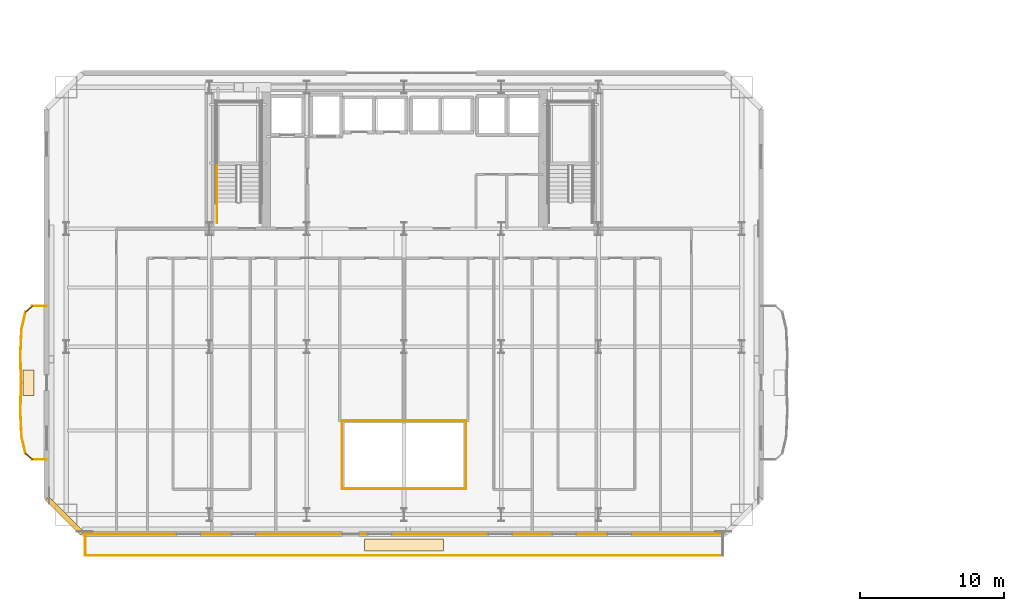
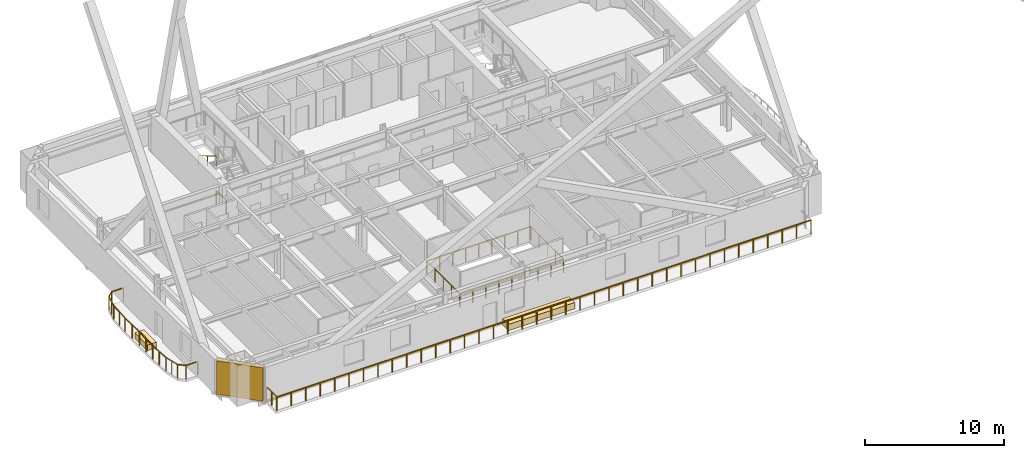
# One storey, part 16 of 22: 18 railings, 3 coverings, 1 shading device.
"""IFC4 building model written with IfcOpenShell, lengths in metres."""

from ifc_helpers import new_model, si_unit, direction, frame, origin, origin_2d, place, context, subcontext, project, spatial, rectangle, extrude, material, layer, layer_set, type_object, element, save


model = new_model("IFC4")

# Units and contexts
model_context = context("Model", 3, precision=1e-05, world=origin(), true_north=direction((0.0, 1.0)))
body_context = subcontext(model_context, "Body", "Model", "MODEL_VIEW")
ifc_project = project(units=[si_unit("LENGTHUNIT", "METRE"), si_unit("AREAUNIT", "SQUARE_METRE"), si_unit("VOLUMEUNIT", "CUBIC_METRE"), si_unit("PLANEANGLEUNIT", "RADIAN"), si_unit("MASSUNIT", "GRAM", prefix="KILO")], contexts=[model_context])

# Site, building, storey
site_placement = place(None, origin())
site = spatial("IfcSite", under=ifc_project, at=site_placement, CompositionType="ELEMENT")
building_placement = place(site_placement, origin())
building = spatial("IfcBuilding", under=site, at=building_placement, Name="Haevon Station Towers", CompositionType="ELEMENT")
storey_placement = place(building_placement, frame((0.0, 0.0, 70.199951171875)))
storey = spatial("IfcBuildingStorey", under=building, at=storey_placement, Name="L18", CompositionType="ELEMENT", Elevation=70.199951171875)

# Railings
ifc_material_1 = material(Name="Steel S355", Category="steel")
railing_type_1 = type_object("IfcRailingType", Name="BAL-ATR1200", PredefinedType="BALUSTRADE", material=ifc_material_1)
railing_1_placement = place(storey_placement, frame((33.19482421875, 20.142333984375, 0.0)))
element("IfcRailing", 1, at=railing_1_placement, inside=storey, type_object=railing_type_1, Name="L18 Atrium Void Balustrade 1", PredefinedType="BALUSTRADE", context=body_context, shape_type="SweptSolid", body=[
    extrude(rectangle(XDim=0.048095703125, YDim=0.048095703125, at=origin_2d()), frame((0.0, 0.0, 1.17578125), z_axis=(1.0, 0.0, 0.0), x_axis=(0.0, 1.0, 0.0)), (0.0, 0.0, 1.0), 8.6103515625),
    extrude(rectangle(XDim=0.0419921875, YDim=0.0419921875, at=origin_2d()), origin(), (0.0, 0.0, 1.0), 1.15185546875),
    extrude(rectangle(XDim=0.0419921875, YDim=0.0419921875, at=origin_2d()), frame((1.076171875, 0.0, 0.0)), (0.0, 0.0, 1.0), 1.15185546875),
    extrude(rectangle(XDim=0.0419921875, YDim=0.0419921875, at=origin_2d()), frame((2.152587890625, 0.0, 0.0)), (0.0, 0.0, 1.0), 1.15185546875),
    extrude(rectangle(XDim=0.0419921875, YDim=0.0419921875, at=origin_2d()), frame((3.22900390625, 0.0, 0.0)), (0.0, 0.0, 1.0), 1.15185546875),
    extrude(rectangle(XDim=0.0419921875, YDim=0.0419921875, at=origin_2d()), frame((4.30517578125, 0.0, 0.0)), (0.0, 0.0, 1.0), 1.15185546875),
    extrude(rectangle(XDim=0.0419921875, YDim=0.0419921875, at=origin_2d()), frame((5.38134765625, 0.0, 0.0)), (0.0, 0.0, 1.0), 1.15185546875),
    extrude(rectangle(XDim=0.0419921875, YDim=0.0419921875, at=origin_2d()), frame((6.457763671875, 0.0, 0.0)), (0.0, 0.0, 1.0), 1.15185546875),
    extrude(rectangle(XDim=0.0419921875, YDim=0.0419921875, at=origin_2d()), frame((7.5341796875, 0.0, 0.0)), (0.0, 0.0, 1.0), 1.15185546875),
    extrude(rectangle(XDim=0.0419921875, YDim=0.0419921875, at=origin_2d()), frame((8.6103515625, 0.0, 0.0)), (0.0, 0.0, 1.0), 1.15185546875),
])
railing_2_placement = place(storey_placement, frame((41.80517578125, 20.142333984375, 0.0)))
element("IfcRailing", 2, at=railing_2_placement, inside=storey, type_object=railing_type_1, Name="L18 Atrium Void Balustrade 2", PredefinedType="BALUSTRADE", context=body_context, shape_type="SweptSolid", body=[
    extrude(rectangle(XDim=0.048095703125, YDim=0.048095703125, at=origin_2d()), frame((0.0, 0.0, 1.17578125), z_axis=(0.0, 1.0, 0.0), x_axis=(-1.0, 0.0, 0.0)), (0.0, 0.0, 1.0), 4.71533203125),
    extrude(rectangle(XDim=0.0419921875, YDim=0.0419921875, at=origin_2d()), origin(), (0.0, 0.0, 1.0), 1.15185546875),
    extrude(rectangle(XDim=0.0419921875, YDim=0.0419921875, at=origin_2d()), frame((0.0, 1.1787109375, 0.0)), (0.0, 0.0, 1.0), 1.15185546875),
    extrude(rectangle(XDim=0.0419921875, YDim=0.0419921875, at=origin_2d()), frame((0.0, 2.357666015625, 0.0)), (0.0, 0.0, 1.0), 1.15185546875),
    extrude(rectangle(XDim=0.0419921875, YDim=0.0419921875, at=origin_2d()), frame((0.0, 3.53662109375, 0.0)), (0.0, 0.0, 1.0), 1.15185546875),
    extrude(rectangle(XDim=0.0419921875, YDim=0.0419921875, at=origin_2d()), frame((0.0, 4.71533203125, 0.0)), (0.0, 0.0, 1.0), 1.15185546875),
])
railing_3_placement = place(storey_placement, frame((41.80517578125, 24.857666015625, 0.0)))
element("IfcRailing", 3, at=railing_3_placement, inside=storey, type_object=railing_type_1, Name="L18 Atrium Void Balustrade 3", PredefinedType="BALUSTRADE", context=body_context, shape_type="SweptSolid", body=[
    extrude(rectangle(XDim=0.048095703125, YDim=0.048095703125, at=origin_2d()), frame((0.0, 0.0, 1.17578125), z_axis=(-1.0, 0.0, 0.0), x_axis=(0.0, -1.0, 0.0)), (0.0, 0.0, 1.0), 8.6103515625),
    extrude(rectangle(XDim=0.0419921875, YDim=0.0419921875, at=origin_2d()), origin(), (0.0, 0.0, 1.0), 1.15185546875),
    extrude(rectangle(XDim=0.0419921875, YDim=0.0419921875, at=origin_2d()), frame((-1.076171875, 0.0, 0.0)), (0.0, 0.0, 1.0), 1.15185546875),
    extrude(rectangle(XDim=0.0419921875, YDim=0.0419921875, at=origin_2d()), frame((-2.152587890625, 0.0, 0.0)), (0.0, 0.0, 1.0), 1.15185546875),
    extrude(rectangle(XDim=0.0419921875, YDim=0.0419921875, at=origin_2d()), frame((-3.22900390625, 0.0, 0.0)), (0.0, 0.0, 1.0), 1.15185546875),
    extrude(rectangle(XDim=0.0419921875, YDim=0.0419921875, at=origin_2d()), frame((-4.30517578125, 0.0, 0.0)), (0.0, 0.0, 1.0), 1.15185546875),
    extrude(rectangle(XDim=0.0419921875, YDim=0.0419921875, at=origin_2d()), frame((-5.38134765625, 0.0, 0.0)), (0.0, 0.0, 1.0), 1.15185546875),
    extrude(rectangle(XDim=0.0419921875, YDim=0.0419921875, at=origin_2d()), frame((-6.457763671875, 0.0, 0.0)), (0.0, 0.0, 1.0), 1.15185546875),
    extrude(rectangle(XDim=0.0419921875, YDim=0.0419921875, at=origin_2d()), frame((-7.5341796875, 0.0, 0.0)), (0.0, 0.0, 1.0), 1.15185546875),
    extrude(rectangle(XDim=0.0419921875, YDim=0.0419921875, at=origin_2d()), frame((-8.6103515625, 0.0, 0.0)), (0.0, 0.0, 1.0), 1.15185546875),
])
railing_4_placement = place(storey_placement, frame((33.19482421875, 24.857666015625, 0.0)))
element("IfcRailing", 4, at=railing_4_placement, inside=storey, type_object=railing_type_1, Name="L18 Atrium Void Balustrade 4", PredefinedType="BALUSTRADE", context=body_context, shape_type="SweptSolid", body=[
    extrude(rectangle(XDim=0.048095703125, YDim=0.048095703125, at=origin_2d()), frame((0.0, 0.0, 1.17578125), z_axis=(0.0, -1.0, 0.0), x_axis=(1.0, 0.0, 0.0)), (0.0, 0.0, 1.0), 4.71533203125),
    extrude(rectangle(XDim=0.0419921875, YDim=0.0419921875, at=origin_2d()), origin(), (0.0, 0.0, 1.0), 1.15185546875),
    extrude(rectangle(XDim=0.0419921875, YDim=0.0419921875, at=origin_2d()), frame((0.0, -1.1787109375, 0.0)), (0.0, 0.0, 1.0), 1.15185546875),
    extrude(rectangle(XDim=0.0419921875, YDim=0.0419921875, at=origin_2d()), frame((0.0, -2.357666015625, 0.0)), (0.0, 0.0, 1.0), 1.15185546875),
    extrude(rectangle(XDim=0.0419921875, YDim=0.0419921875, at=origin_2d()), frame((0.0, -3.53662109375, 0.0)), (0.0, 0.0, 1.0), 1.15185546875),
    extrude(rectangle(XDim=0.0419921875, YDim=0.0419921875, at=origin_2d()), frame((0.0, -4.71533203125, 0.0)), (0.0, 0.0, 1.0), 1.15185546875),
])

# Covering
ifc_material_2 = material(Name="Anodised aluminium 6063-T6", Category="aluminium")
ifc_layer_1 = layer(ifc_material_2, 0.0400390625)
ifc_layer_set_1 = layer_set([ifc_layer_1], Name="Anodised aluminium 6063-T6")
covering_type_1 = type_object("IfcCoveringType", Name="COV-CLAD40", PredefinedType="CLADDING", material=ifc_layer_set_1)
covering_1_placement = place(storey_placement, frame((37.5, 17.0, -0.23974609375), z_axis=(0.0, 0.0, 1.0), x_axis=(1.0, 0.0, 0.0)))
element("IfcCovering", 5, at=covering_1_placement, inside=storey, type_object=covering_type_1, Name="Tower 1 L18 Spandrel Fascia Cladding", PredefinedType="CLADDING", context=body_context, shape_type="SweptSolid", body=[
    extrude(rectangle(XDim=44.199951171875, YDim=0.0400390625, at=origin_2d()), origin(), (0.0, 0.0, 1.0), 0.239990234375),
])

# Railings
railing_type_2 = type_object("IfcRailingType", Name="GRD-EXT1200", PredefinedType="GUARDRAIL", material=ifc_material_1)
railing_5_placement = place(storey_placement, frame((15.3798828125, 15.502685546875, 0.0)))
element("IfcRailing", 6, at=railing_5_placement, inside=storey, type_object=railing_type_2, Name="L18 Perimeter Guardrail 1", PredefinedType="GUARDRAIL", context=body_context, shape_type="SweptSolid", body=[
    extrude(rectangle(XDim=0.048095703125, YDim=0.048095703125, at=origin_2d()), frame((0.0, 0.0, 1.17578125), z_axis=(1.0, 0.0, 0.0), x_axis=(0.0, 1.0, 0.0)), (0.0, 0.0, 1.0), 44.240234375),
    extrude(rectangle(XDim=0.0419921875, YDim=0.0419921875, at=origin_2d()), origin(), (0.0, 0.0, 1.0), 1.15185546875),
    extrude(rectangle(XDim=0.0419921875, YDim=0.0419921875, at=origin_2d()), frame((1.19580078125, 0.0, 0.0)), (0.0, 0.0, 1.0), 1.15185546875),
    extrude(rectangle(XDim=0.0419921875, YDim=0.0419921875, at=origin_2d()), frame((2.391357421875, 0.0, 0.0)), (0.0, 0.0, 1.0), 1.15185546875),
    extrude(rectangle(XDim=0.0419921875, YDim=0.0419921875, at=origin_2d()), frame((3.587158203125, 0.0, 0.0)), (0.0, 0.0, 1.0), 1.15185546875),
    extrude(rectangle(XDim=0.0419921875, YDim=0.0419921875, at=origin_2d()), frame((4.78271484375, 0.0, 0.0)), (0.0, 0.0, 1.0), 1.15185546875),
    extrude(rectangle(XDim=0.0419921875, YDim=0.0419921875, at=origin_2d()), frame((5.978515625, 0.0, 0.0)), (0.0, 0.0, 1.0), 1.15185546875),
    extrude(rectangle(XDim=0.0419921875, YDim=0.0419921875, at=origin_2d()), frame((7.174072265625, 0.0, 0.0)), (0.0, 0.0, 1.0), 1.15185546875),
    extrude(rectangle(XDim=0.0419921875, YDim=0.0419921875, at=origin_2d()), frame((8.369873046875, 0.0, 0.0)), (0.0, 0.0, 1.0), 1.15185546875),
    extrude(rectangle(XDim=0.0419921875, YDim=0.0419921875, at=origin_2d()), frame((9.5654296875, 0.0, 0.0)), (0.0, 0.0, 1.0), 1.15185546875),
    extrude(rectangle(XDim=0.0419921875, YDim=0.0419921875, at=origin_2d()), frame((10.76123046875, 0.0, 0.0)), (0.0, 0.0, 1.0), 1.15185546875),
    extrude(rectangle(XDim=0.0419921875, YDim=0.0419921875, at=origin_2d()), frame((11.956787109375, 0.0, 0.0)), (0.0, 0.0, 1.0), 1.15185546875),
    extrude(rectangle(XDim=0.0419921875, YDim=0.0419921875, at=origin_2d()), frame((13.152587890625, 0.0, 0.0)), (0.0, 0.0, 1.0), 1.15185546875),
    extrude(rectangle(XDim=0.0419921875, YDim=0.0419921875, at=origin_2d()), frame((14.34814453125, 0.0, 0.0)), (0.0, 0.0, 1.0), 1.15185546875),
    extrude(rectangle(XDim=0.0419921875, YDim=0.0419921875, at=origin_2d()), frame((15.5439453125, 0.0, 0.0)), (0.0, 0.0, 1.0), 1.15185546875),
    extrude(rectangle(XDim=0.0419921875, YDim=0.0419921875, at=origin_2d()), frame((16.739501953125, 0.0, 0.0)), (0.0, 0.0, 1.0), 1.15185546875),
    extrude(rectangle(XDim=0.0419921875, YDim=0.0419921875, at=origin_2d()), frame((17.935302734375, 0.0, 0.0)), (0.0, 0.0, 1.0), 1.15185546875),
    extrude(rectangle(XDim=0.0419921875, YDim=0.0419921875, at=origin_2d()), frame((19.130859375, 0.0, 0.0)), (0.0, 0.0, 1.0), 1.15185546875),
    extrude(rectangle(XDim=0.0419921875, YDim=0.0419921875, at=origin_2d()), frame((20.32666015625, 0.0, 0.0)), (0.0, 0.0, 1.0), 1.15185546875),
    extrude(rectangle(XDim=0.0419921875, YDim=0.0419921875, at=origin_2d()), frame((21.522216796875, 0.0, 0.0)), (0.0, 0.0, 1.0), 1.15185546875),
    extrude(rectangle(XDim=0.0419921875, YDim=0.0419921875, at=origin_2d()), frame((22.718017578125, 0.0, 0.0)), (0.0, 0.0, 1.0), 1.15185546875),
    extrude(rectangle(XDim=0.0419921875, YDim=0.0419921875, at=origin_2d()), frame((23.91357421875, 0.0, 0.0)), (0.0, 0.0, 1.0), 1.15185546875),
    extrude(rectangle(XDim=0.0419921875, YDim=0.0419921875, at=origin_2d()), frame((25.109375, 0.0, 0.0)), (0.0, 0.0, 1.0), 1.15185546875),
    extrude(rectangle(XDim=0.0419921875, YDim=0.0419921875, at=origin_2d()), frame((26.304931640625, 0.0, 0.0)), (0.0, 0.0, 1.0), 1.15185546875),
    extrude(rectangle(XDim=0.0419921875, YDim=0.0419921875, at=origin_2d()), frame((27.500732421875, 0.0, 0.0)), (0.0, 0.0, 1.0), 1.15185546875),
    extrude(rectangle(XDim=0.0419921875, YDim=0.0419921875, at=origin_2d()), frame((28.6962890625, 0.0, 0.0)), (0.0, 0.0, 1.0), 1.15185546875),
    extrude(rectangle(XDim=0.0419921875, YDim=0.0419921875, at=origin_2d()), frame((29.89208984375, 0.0, 0.0)), (0.0, 0.0, 1.0), 1.15185546875),
    extrude(rectangle(XDim=0.0419921875, YDim=0.0419921875, at=origin_2d()), frame((31.087646484375, 0.0, 0.0)), (0.0, 0.0, 1.0), 1.15185546875),
    extrude(rectangle(XDim=0.0419921875, YDim=0.0419921875, at=origin_2d()), frame((32.283447265625, 0.0, 0.0)), (0.0, 0.0, 1.0), 1.15185546875),
    extrude(rectangle(XDim=0.0419921875, YDim=0.0419921875, at=origin_2d()), frame((33.47900390625, 0.0, 0.0)), (0.0, 0.0, 1.0), 1.15185546875),
    extrude(rectangle(XDim=0.0419921875, YDim=0.0419921875, at=origin_2d()), frame((34.6748046875, 0.0, 0.0)), (0.0, 0.0, 1.0), 1.15185546875),
    extrude(rectangle(XDim=0.0419921875, YDim=0.0419921875, at=origin_2d()), frame((35.870361328125, 0.0, 0.0)), (0.0, 0.0, 1.0), 1.15185546875),
    extrude(rectangle(XDim=0.0419921875, YDim=0.0419921875, at=origin_2d()), frame((37.066162109375, 0.0, 0.0)), (0.0, 0.0, 1.0), 1.15185546875),
    extrude(rectangle(XDim=0.0419921875, YDim=0.0419921875, at=origin_2d()), frame((38.26171875, 0.0, 0.0)), (0.0, 0.0, 1.0), 1.15185546875),
    extrude(rectangle(XDim=0.0419921875, YDim=0.0419921875, at=origin_2d()), frame((39.45751953125, 0.0, 0.0)), (0.0, 0.0, 1.0), 1.15185546875),
    extrude(rectangle(XDim=0.0419921875, YDim=0.0419921875, at=origin_2d()), frame((40.653076171875, 0.0, 0.0)), (0.0, 0.0, 1.0), 1.15185546875),
    extrude(rectangle(XDim=0.0419921875, YDim=0.0419921875, at=origin_2d()), frame((41.848876953125, 0.0, 0.0)), (0.0, 0.0, 1.0), 1.15185546875),
    extrude(rectangle(XDim=0.0419921875, YDim=0.0419921875, at=origin_2d()), frame((43.04443359375, 0.0, 0.0)), (0.0, 0.0, 1.0), 1.15185546875),
    extrude(rectangle(XDim=0.0419921875, YDim=0.0419921875, at=origin_2d()), frame((44.240234375, 0.0, 0.0)), (0.0, 0.0, 1.0), 1.15185546875),
])
railing_6_placement = place(storey_placement, frame((15.3798828125, 16.9921875, 0.0)))
element("IfcRailing", 7, at=railing_6_placement, inside=storey, type_object=railing_type_2, Name="L18 Perimeter Guardrail 3", PredefinedType="GUARDRAIL", context=body_context, shape_type="SweptSolid", body=[
    extrude(rectangle(XDim=0.048095703125, YDim=0.048095703125, at=origin_2d()), frame((0.0, 0.0, 1.17578125), z_axis=(0.0, -1.0, 0.0), x_axis=(1.0, 0.0, 0.0)), (0.0, 0.0, 1.0), 1.489501953125),
    extrude(rectangle(XDim=0.0419921875, YDim=0.0419921875, at=origin_2d()), origin(), (0.0, 0.0, 1.0), 1.15185546875),
    extrude(rectangle(XDim=0.0419921875, YDim=0.0419921875, at=origin_2d()), frame((0.0, -0.74462890625, 0.0)), (0.0, 0.0, 1.0), 1.15185546875),
    extrude(rectangle(XDim=0.0419921875, YDim=0.0419921875, at=origin_2d()), frame((0.0, -1.489501953125, 0.0)), (0.0, 0.0, 1.0), 1.15185546875),
])
railing_7_placement = place(storey_placement, frame((12.6767578125, 32.822021484375, 0.0)))
element("IfcRailing", 8, at=railing_7_placement, inside=storey, type_object=railing_type_2, Name="L18 Perimeter Guardrail 1", PredefinedType="GUARDRAIL", context=body_context, shape_type="SweptSolid", body=[
    extrude(rectangle(XDim=0.048095703125, YDim=0.048095703125, at=origin_2d()), frame((0.0, 0.0, 1.17578125), z_axis=(-0.999997990976, -0.002004506121, 0.0), x_axis=(0.002004506121, -0.999997990976, 0.0)), (0.0, 0.0, 1.0), 0.974365234375),
    extrude(rectangle(XDim=0.0419921875, YDim=0.0419921875, at=origin_2d()), origin(), (0.0, 0.0, 1.0), 1.15185546875),
    extrude(rectangle(XDim=0.0419921875, YDim=0.0419921875, at=origin_2d()), frame((-0.974365234375, -0.001953125, 0.0)), (0.0, 0.0, 1.0), 1.15185546875),
])
railing_8_placement = place(storey_placement, frame((11.702392578125, 32.820068359375, 0.0)))
element("IfcRailing", 9, at=railing_8_placement, inside=storey, type_object=railing_type_2, Name="L18 Perimeter Guardrail 2", PredefinedType="GUARDRAIL", context=body_context, shape_type="SweptSolid", body=[
    extrude(rectangle(XDim=0.048095703125, YDim=0.048095703125, at=origin_2d()), frame((0.0, 0.0, 1.17578125), z_axis=(-0.750946844262, -0.660362655738, 0.0), x_axis=(0.660362655738, -0.750946844262, 0.0)), (0.0, 0.0, 1.0), 0.62255859375),
    extrude(rectangle(XDim=0.0419921875, YDim=0.0419921875, at=origin_2d()), origin(), (0.0, 0.0, 1.0), 1.15185546875),
    extrude(rectangle(XDim=0.0419921875, YDim=0.0419921875, at=origin_2d()), frame((-0.467529296875, -0.4111328125, 0.0)), (0.0, 0.0, 1.0), 1.15185546875),
])
railing_9_placement = place(storey_placement, frame((11.23486328125, 32.408935546875, 0.0)))
element("IfcRailing", 10, at=railing_9_placement, inside=storey, type_object=railing_type_2, Name="L18 Perimeter Guardrail 3", PredefinedType="GUARDRAIL", context=body_context, shape_type="SweptSolid", body=[
    extrude(rectangle(XDim=0.048095703125, YDim=0.048095703125, at=origin_2d()), frame((0.0, 0.0, 1.17578125), z_axis=(-0.227396637596, -0.973802222841, 0.0), x_axis=(0.973802222841, -0.227396637596, 0.0)), (0.0, 0.0, 1.0), 1.201416015625),
    extrude(rectangle(XDim=0.0419921875, YDim=0.0419921875, at=origin_2d()), origin(), (0.0, 0.0, 1.0), 1.15185546875),
    extrude(rectangle(XDim=0.0419921875, YDim=0.0419921875, at=origin_2d()), frame((-0.13671875, -0.5849609375, 0.0)), (0.0, 0.0, 1.0), 1.15185546875),
    extrude(rectangle(XDim=0.0419921875, YDim=0.0419921875, at=origin_2d()), frame((-0.273193359375, -1.169921875, 0.0)), (0.0, 0.0, 1.0), 1.15185546875),
])
railing_10_placement = place(storey_placement, frame((10.961669921875, 31.239013671875, 0.0)))
element("IfcRailing", 11, at=railing_10_placement, inside=storey, type_object=railing_type_2, Name="L18 Perimeter Guardrail 4", PredefinedType="GUARDRAIL", context=body_context, shape_type="SweptSolid", body=[
    extrude(rectangle(XDim=0.048095703125, YDim=0.048095703125, at=origin_2d()), frame((0.0, 0.0, 1.17578125), z_axis=(-0.046280248454, -0.99892849524, 0.0), x_axis=(0.99892849524, -0.046280248454, 0.0)), (0.0, 0.0, 1.0), 1.75146484375),
    extrude(rectangle(XDim=0.0419921875, YDim=0.0419921875, at=origin_2d()), origin(), (0.0, 0.0, 1.0), 1.15185546875),
    extrude(rectangle(XDim=0.0419921875, YDim=0.0419921875, at=origin_2d()), frame((-0.04052734375, -0.874755859375, 0.0)), (0.0, 0.0, 1.0), 1.15185546875),
    extrude(rectangle(XDim=0.0419921875, YDim=0.0419921875, at=origin_2d()), frame((-0.0810546875, -1.74951171875, 0.0)), (0.0, 0.0, 1.0), 1.15185546875),
])
railing_11_placement = place(storey_placement, frame((10.880615234375, 29.489501953125, 0.0)))
element("IfcRailing", 12, at=railing_11_placement, inside=storey, type_object=railing_type_2, Name="L18 Perimeter Guardrail 5", PredefinedType="GUARDRAIL", context=body_context, shape_type="SweptSolid", body=[
    extrude(rectangle(XDim=0.048095703125, YDim=0.048095703125, at=origin_2d()), frame((0.0, 0.0, 1.17578125), z_axis=(0.02416768438, -0.99970791886, 0.0), x_axis=(0.99970791886, 0.02416768438, 0.0)), (0.0, 0.0, 1.0), 1.989990234375),
    extrude(rectangle(XDim=0.0419921875, YDim=0.0419921875, at=origin_2d()), origin(), (0.0, 0.0, 1.0), 1.15185546875),
    extrude(rectangle(XDim=0.0419921875, YDim=0.0419921875, at=origin_2d()), frame((0.02392578125, -0.99462890625, 0.0)), (0.0, 0.0, 1.0), 1.15185546875),
    extrude(rectangle(XDim=0.0419921875, YDim=0.0419921875, at=origin_2d()), frame((0.048095703125, -1.989501953125, 0.0)), (0.0, 0.0, 1.0), 1.15185546875),
])
railing_12_placement = place(storey_placement, frame((10.9287109375, 27.5, 0.0)))
element("IfcRailing", 13, at=railing_12_placement, inside=storey, type_object=railing_type_2, Name="L18 Perimeter Guardrail 6", PredefinedType="GUARDRAIL", context=body_context, shape_type="SweptSolid", body=[
    extrude(rectangle(XDim=0.048095703125, YDim=0.048095703125, at=origin_2d()), frame((0.0, 0.0, 1.17578125), z_axis=(-0.02416768438, -0.99970791886, 0.0), x_axis=(0.99970791886, -0.02416768438, 0.0)), (0.0, 0.0, 1.0), 1.989990234375),
    extrude(rectangle(XDim=0.0419921875, YDim=0.0419921875, at=origin_2d()), origin(), (0.0, 0.0, 1.0), 1.15185546875),
    extrude(rectangle(XDim=0.0419921875, YDim=0.0419921875, at=origin_2d()), frame((-0.02392578125, -0.99462890625, 0.0)), (0.0, 0.0, 1.0), 1.15185546875),
    extrude(rectangle(XDim=0.0419921875, YDim=0.0419921875, at=origin_2d()), frame((-0.048095703125, -1.989501953125, 0.0)), (0.0, 0.0, 1.0), 1.15185546875),
])
railing_13_placement = place(storey_placement, frame((10.880615234375, 25.510498046875, 0.0)))
element("IfcRailing", 14, at=railing_13_placement, inside=storey, type_object=railing_type_2, Name="L18 Perimeter Guardrail 7", PredefinedType="GUARDRAIL", context=body_context, shape_type="SweptSolid", body=[
    extrude(rectangle(XDim=0.048095703125, YDim=0.048095703125, at=origin_2d()), frame((0.0, 0.0, 1.17578125), z_axis=(0.046280248454, -0.99892849524, 0.0), x_axis=(0.99892849524, 0.046280248454, 0.0)), (0.0, 0.0, 1.0), 1.75146484375),
    extrude(rectangle(XDim=0.0419921875, YDim=0.0419921875, at=origin_2d()), origin(), (0.0, 0.0, 1.0), 1.15185546875),
    extrude(rectangle(XDim=0.0419921875, YDim=0.0419921875, at=origin_2d()), frame((0.04052734375, -0.874755859375, 0.0)), (0.0, 0.0, 1.0), 1.15185546875),
    extrude(rectangle(XDim=0.0419921875, YDim=0.0419921875, at=origin_2d()), frame((0.0810546875, -1.74951171875, 0.0)), (0.0, 0.0, 1.0), 1.15185546875),
])
railing_14_placement = place(storey_placement, frame((10.961669921875, 23.760986328125, 0.0)))
element("IfcRailing", 15, at=railing_14_placement, inside=storey, type_object=railing_type_2, Name="L18 Perimeter Guardrail 8", PredefinedType="GUARDRAIL", context=body_context, shape_type="SweptSolid", body=[
    extrude(rectangle(XDim=0.048095703125, YDim=0.048095703125, at=origin_2d()), frame((0.0, 0.0, 1.17578125), z_axis=(0.227396637596, -0.973802222841, 0.0), x_axis=(0.973802222841, 0.227396637596, 0.0)), (0.0, 0.0, 1.0), 1.201416015625),
    extrude(rectangle(XDim=0.0419921875, YDim=0.0419921875, at=origin_2d()), origin(), (0.0, 0.0, 1.0), 1.15185546875),
    extrude(rectangle(XDim=0.0419921875, YDim=0.0419921875, at=origin_2d()), frame((0.13671875, -0.5849609375, 0.0)), (0.0, 0.0, 1.0), 1.15185546875),
    extrude(rectangle(XDim=0.0419921875, YDim=0.0419921875, at=origin_2d()), frame((0.273193359375, -1.169921875, 0.0)), (0.0, 0.0, 1.0), 1.15185546875),
])
railing_15_placement = place(storey_placement, frame((11.23486328125, 22.591064453125, 0.0)))
element("IfcRailing", 16, at=railing_15_placement, inside=storey, type_object=railing_type_2, Name="L18 Perimeter Guardrail 9", PredefinedType="GUARDRAIL", context=body_context, shape_type="SweptSolid", body=[
    extrude(rectangle(XDim=0.048095703125, YDim=0.048095703125, at=origin_2d()), frame((0.0, 0.0, 1.17578125), z_axis=(0.750946844262, -0.660362655738, 0.0), x_axis=(0.660362655738, 0.750946844262, 0.0)), (0.0, 0.0, 1.0), 0.62255859375),
    extrude(rectangle(XDim=0.0419921875, YDim=0.0419921875, at=origin_2d()), origin(), (0.0, 0.0, 1.0), 1.15185546875),
    extrude(rectangle(XDim=0.0419921875, YDim=0.0419921875, at=origin_2d()), frame((0.467529296875, -0.4111328125, 0.0)), (0.0, 0.0, 1.0), 1.15185546875),
])
railing_16_placement = place(storey_placement, frame((11.702392578125, 22.179931640625, 0.0)))
element("IfcRailing", 17, at=railing_16_placement, inside=storey, type_object=railing_type_2, Name="L18 Perimeter Guardrail 10", PredefinedType="GUARDRAIL", context=body_context, shape_type="SweptSolid", body=[
    extrude(rectangle(XDim=0.048095703125, YDim=0.048095703125, at=origin_2d()), frame((0.0, 0.0, 1.17578125), z_axis=(0.999997990976, -0.002004506121, 0.0), x_axis=(0.002004506121, 0.999997990976, 0.0)), (0.0, 0.0, 1.0), 0.974365234375),
    extrude(rectangle(XDim=0.0419921875, YDim=0.0419921875, at=origin_2d()), origin(), (0.0, 0.0, 1.0), 1.15185546875),
    extrude(rectangle(XDim=0.0419921875, YDim=0.0419921875, at=origin_2d()), frame((0.974365234375, -0.001953125, 0.0)), (0.0, 0.0, 1.0), 1.15185546875),
])
railing_type_3 = type_object("IfcRailingType", Name="GRD-STR1200", PredefinedType="GUARDRAIL", material=ifc_material_1)
railing_17_placement = place(storey_placement, frame((24.530029296875, 38.60009765625, 0.0)))
element("IfcRailing", 18, at=railing_17_placement, inside=storey, type_object=railing_type_3, Name="L18 ST1 Stair Guard 9", PredefinedType="GUARDRAIL", context=body_context, shape_type="SweptSolid", body=[
    extrude(rectangle(XDim=0.048095703125, YDim=0.048095703125, at=origin_2d()), frame((0.0, 0.0, 1.17578125), z_axis=(0.0, 1.0, 0.0), x_axis=(-1.0, 0.0, 0.0)), (0.0, 0.0, 1.0), 1.449951171875),
    extrude(rectangle(XDim=0.0419921875, YDim=0.0419921875, at=origin_2d()), origin(), (0.0, 0.0, 1.0), 1.15185546875),
    extrude(rectangle(XDim=0.0419921875, YDim=0.0419921875, at=origin_2d()), frame((0.0, 1.449951171875, 0.0)), (0.0, 0.0, 1.0), 1.15185546875),
])
railing_type_4 = type_object("IfcRailingType", Name="HND-STR900", PredefinedType="HANDRAIL", material=ifc_material_1)
railing_18_placement = place(storey_placement, frame((24.530029296875, 42.570068359375, 1.81494140625)))
element("IfcRailing", 19, at=railing_18_placement, inside=storey, type_object=railing_type_4, Name="L18 ST1 Stair Handrail 2", PredefinedType="HANDRAIL", context=body_context, shape_type="SweptSolid", body=[
    extrude(rectangle(XDim=0.048095703125, YDim=0.048095703125, at=origin_2d()), frame((0.0, 0.0, 0.8759765625), z_axis=(0.0, -0.86152411907, 0.507716645641), x_axis=(1.0, 0.0, 0.0)), (0.0, 0.0, 1.0), 2.925048828125),
    extrude(rectangle(XDim=0.0419921875, YDim=0.0419921875, at=origin_2d()), origin(), (0.0, 0.0, 1.0), 0.851806640625),
    extrude(rectangle(XDim=0.0419921875, YDim=0.0419921875, at=origin_2d()), frame((0.0, -1.260009765625, 0.74267578125)), (0.0, 0.0, 1.0), 0.851806640625),
    extrude(rectangle(XDim=0.0419921875, YDim=0.0419921875, at=origin_2d()), frame((0.0, -2.52001953125, 1.485107421875)), (0.0, 0.0, 1.0), 0.851806640625),
])

# Coverings
ifc_material_3 = material(Name="Architectural planter GRC", Category="concrete")
ifc_layer_2 = layer(ifc_material_3, 0.550048828125)
ifc_layer_set_2 = layer_set([ifc_layer_2], Name="Architectural planter GRC")
covering_type_2 = type_object("IfcCoveringType", Name="PLN-GRC550", PredefinedType="MOLDING", material=ifc_layer_set_2)
covering_2_placement = place(storey_placement, frame((37.5, 16.24755859375, 0.0), z_axis=(0.0, 0.0, 1.0), x_axis=(1.0, 0.0, 0.0)))
element("IfcCovering", 20, at=covering_2_placement, inside=storey, type_object=covering_type_2, Name="Tower 1 L18 Sky-Garden GRC PLANTER", PredefinedType="MOLDING", context=body_context, shape_type="SweptSolid", body=[
    extrude(rectangle(XDim=5.5, YDim=0.85009765625, at=origin_2d()), origin(), (0.0, 0.0, 1.0), 0.550048828125),
])
covering_3_placement = place(storey_placement, frame((11.4306640625, 27.5, 0.0), z_axis=(0.0, 0.0, 1.0), x_axis=(1.0, 0.0, 0.0)))
element("IfcCovering", 21, at=covering_3_placement, inside=storey, type_object=covering_type_2, Name="Tower 1 L18 Scalloped Balcony PLANTER", PredefinedType="MOLDING", context=body_context, shape_type="SweptSolid", body=[
    extrude(rectangle(XDim=0.75, YDim=1.800048828125, at=origin_2d()), origin(), (0.0, 0.0, 1.0), 0.5),
])

# Shading device
ifc_layer_3 = layer(ifc_material_2, 0.139892578125)
ifc_layer_set_3 = layer_set([ifc_layer_3], Name="Anodised aluminium 6063-T6")
shading_device_type = type_object("IfcShadingDeviceType", Name="SHD-WIND-BAFFLE", PredefinedType="SHUTTER", material=ifc_layer_set_3)
shading_device_placement = place(storey_placement, frame((13.949951171875, 18.25, 0.05029296875), z_axis=(0.0, 0.0, 1.0), x_axis=(-0.707106781187, 0.707106781187, 0.0)))
element("IfcShadingDevice", 22, at=shading_device_placement, inside=storey, type_object=shading_device_type, Name="Tower 1 L18 Wind-Corner Aerofoil Baffle SWC", PredefinedType="SHUTTER", context=body_context, shape_type="SweptSolid", body=[
    extrude(rectangle(XDim=3.435546875, YDim=0.340087890625, at=origin_2d()), origin(), (0.0, 0.0, 1.0), 2.929931640625),
])

save(model, "model.ifc")
